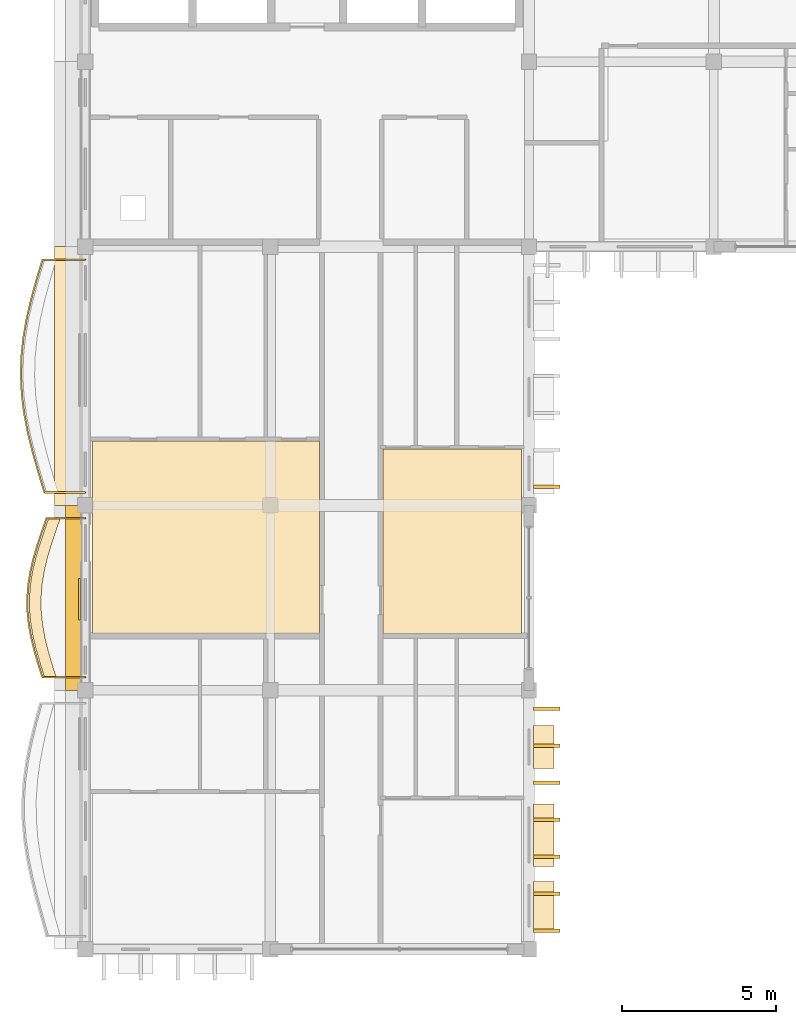
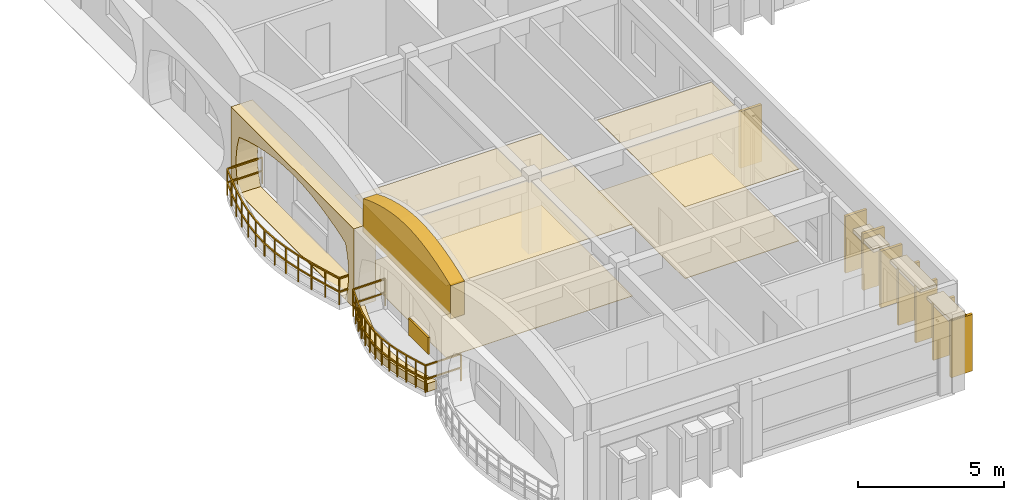
# One storey, part 10 of 12: 19 coverings, 2 railings.
"""IFC4 building model written with IfcOpenShell, lengths in metres."""

from ifc_helpers import new_model, si_unit, direction, frame, origin, origin_2d, place, context, subcontext, project, spatial, polyline, rectangle, outline, extrude, material, layer, layer_set, type_object, element, save


model = new_model("IFC4")

# Units and contexts
model_context = context("Model", 3, precision=1e-05, world=origin(), true_north=direction((0.0, 1.0)))
body_context = subcontext(model_context, "Body", "Model", "MODEL_VIEW")
ifc_project = project(units=[si_unit("LENGTHUNIT", "METRE"), si_unit("AREAUNIT", "SQUARE_METRE"), si_unit("VOLUMEUNIT", "CUBIC_METRE"), si_unit("PLANEANGLEUNIT", "RADIAN"), si_unit("MASSUNIT", "GRAM", prefix="KILO"), si_unit("THERMODYNAMICTEMPERATUREUNIT", "KELVIN")], contexts=[model_context])

# Site, building, storey
site_placement = place(None, origin())
site = spatial("IfcSite", under=ifc_project, at=site_placement, CompositionType="ELEMENT")
building_placement = place(site_placement, origin())
building = spatial("IfcBuilding", under=site, at=building_placement, Name="Thalorik Housing Commons", CompositionType="ELEMENT")
storey_placement = place(building_placement, frame((0.0, 0.0, 51.0)))
storey = spatial("IfcBuildingStorey", under=building, at=storey_placement, Name="L15", CompositionType="ELEMENT", Elevation=51.0)

# Coverings
ifc_material_1 = material(Name="Precast concrete C40/50", Category="concrete")
ifc_layer_1 = layer(ifc_material_1, 0.85009765625, Name="Precast concrete C40/50", Category="concrete")
ifc_layer_set_1 = layer_set([ifc_layer_1], Name="Precast concrete C40/50")
covering_type_1 = type_object("IfcCoveringType", Name="ARC-CLD-CUSH-850", PredefinedType="CLADDING", material=ifc_layer_set_1)
covering_1_placement = place(storey_placement, frame((7.822509765625, 105.0, 0.0), z_axis=(0.0, 0.0, 1.0), x_axis=(0.0, -1.0, 0.0)))
element("IfcCovering", 1, at=covering_1_placement, inside=storey, type_object=covering_type_1, Name="L15 White Precast Curved Cushion Bay Frame 1432", PredefinedType="CLADDING", context=body_context, shape_type="SweptSolid", body=[
    extrude(outline(polyline([(-4.199951171875, 0.0), (4.199951171875, 0.0), (4.199951171875, 3.300048828125), (-4.199951171875, 3.300048828125), (-4.199951171875, 0.0)]), holes=[polyline([(3.62744140625, 0.02490234375), (3.748291015625, 0.415771484375), (3.82080078125, 0.806640625), (3.84521484375, 1.197509765625), (3.82080078125, 1.58837890625), (3.748291015625, 1.979248046875), (3.62744140625, 2.3701171875), (3.022705078125, 2.573974609375), (2.41796875, 2.734130859375), (1.81298828125, 2.864013671875), (1.208251953125, 2.960205078125), (0.603515625, 3.02001953125), (-0.001220703125, 3.0400390625), (-0.60595703125, 3.02001953125), (-1.210693359375, 2.960205078125), (-1.815673828125, 2.864013671875), (-2.42041015625, 2.734130859375), (-3.025146484375, 2.573974609375), (-3.6298828125, 2.3701171875), (-3.750244140625, 1.979248046875), (-3.822509765625, 1.58837890625), (-3.8466796875, 1.197509765625), (-3.822509765625, 0.806640625), (-3.750244140625, 0.415771484375), (-3.6298828125, 0.02490234375), (3.62744140625, 0.02490234375)])]), frame((0.0, 0.425048828125, 0.0), z_axis=(0.0, -1.0, 0.0), x_axis=(1.0, 0.0, 0.0)), (0.0, 0.0, 1.0), 0.85009765625),
])
ifc_layer_2 = layer(ifc_material_1, 0.85009765625, Name="Precast concrete C40/50", Category="concrete")
ifc_layer_set_2 = layer_set([ifc_layer_2], Name="Precast concrete C40/50")
covering_type_2 = type_object("IfcCoveringType", Name="ARC-CLD-FIN-850", PredefinedType="CLADDING", material=ifc_layer_set_2)
for number, where, z_axis, x_axis, name in (
    (2, (23.37744140625, 87.0, 0.0400390625), (0.0, 0.0, 1.0), (0.0, 1.0, 0.0), "L15 Courtyard Precast Vertical Brise-Soleil Fin 1445"),
    (3, (23.37744140625, 88.199951171875, 0.0400390625), (0.0, 0.0, 1.0), (0.0, 1.0, 0.0), "L15 Courtyard Precast Vertical Brise-Soleil Fin 1446"),
    (4, (23.37744140625, 89.39990234375, 0.0400390625), (0.0, 0.0, 1.0), (0.0, 1.0, 0.0), "L15 Courtyard Precast Vertical Brise-Soleil Fin 1447"),
    (5, (23.37744140625, 90.60009765625, 0.0400390625), (0.0, 0.0, 1.0), (0.0, 1.0, 0.0), "L15 Courtyard Precast Vertical Brise-Soleil Fin 1448"),
    (6, (23.37744140625, 91.800048828125, 0.0400390625), (0.0, 0.0, 1.0), (0.0, 1.0, 0.0), "L15 Courtyard Precast Vertical Brise-Soleil Fin 1449"),
    (7, (23.37744140625, 93.0, 0.0400390625), (0.0, 0.0, 1.0), (0.0, 1.0, 0.0), "L15 Courtyard Precast Vertical Brise-Soleil Fin 1450"),
    (8, (23.37744140625, 94.199951171875, 0.0400390625), (0.0, 0.0, 1.0), (0.0, 1.0, 0.0), "L15 Courtyard Precast Vertical Brise-Soleil Fin 1451"),
    (9, (23.37744140625, 101.39990234375, 0.0400390625), (0.0, 0.0, 1.0), (0.0, 1.0, 0.0), "L15 Courtyard Precast Vertical Brise-Soleil Fin 1455"),
):
    element("IfcCovering", number, at=place(storey_placement, frame(where, z_axis=z_axis, x_axis=x_axis)), inside=storey, type_object=covering_type_2, Name=name, PredefinedType="CLADDING", context=body_context, shape_type="SweptSolid", body=[
        extrude(rectangle(XDim=0.110107421875, YDim=0.85009765625, at=origin_2d()), origin(), (0.0, 0.0, 1.0), 2.364990234375),
    ])
ifc_layer_3 = layer(ifc_material_1, 0.64990234375, Name="Precast concrete C40/50", Category="concrete")
ifc_layer_set_3 = layer_set([ifc_layer_3], Name="Precast concrete C40/50")
covering_type_3 = type_object("IfcCoveringType", Name="ARC-CLD-HOOD-650", PredefinedType="CLADDING", material=ifc_layer_set_3)
covering_2_placement = place(storey_placement, frame((23.277587890625, 87.8056640625, 2.294921875), z_axis=(0.0, 0.0, 1.0), x_axis=(0.0, 1.0, 0.0)))
element("IfcCovering", 10, at=covering_2_placement, inside=storey, type_object=covering_type_3, Name="L15 Courtyard Precast Window Sun-Hood 1452", PredefinedType="CLADDING", context=body_context, shape_type="SweptSolid", body=[
    extrude(rectangle(XDim=1.590087890625, YDim=0.64990234375, at=origin_2d()), origin(), (0.0, 0.0, 1.0), 0.139892578125),
])
covering_3_placement = place(storey_placement, frame((23.277587890625, 90.09716796875, 2.2900390625), z_axis=(0.0, 0.0, 1.0), x_axis=(0.0, 1.0, 0.0)))
element("IfcCovering", 11, at=covering_3_placement, inside=storey, type_object=covering_type_3, Name="L15 Courtyard Precast Window Sun-Hood 1453", PredefinedType="CLADDING", context=body_context, shape_type="SweptSolid", body=[
    extrude(rectangle(XDim=2.0400390625, YDim=0.64990234375, at=origin_2d()), origin(), (0.0, 0.0, 1.0), 0.139892578125),
])
covering_4_placement = place(storey_placement, frame((23.277587890625, 92.96142578125, 2.0400390625), z_axis=(0.0, 0.0, 1.0), x_axis=(0.0, 1.0, 0.0)))
element("IfcCovering", 12, at=covering_4_placement, inside=storey, type_object=covering_type_3, Name="L15 Courtyard Precast Window Sun-Hood 1454", PredefinedType="CLADDING", context=body_context, shape_type="SweptSolid", body=[
    extrude(rectangle(XDim=1.389892578125, YDim=0.64990234375, at=origin_2d()), origin(), (0.0, 0.0, 1.0), 0.139892578125),
])
ifc_layer_4 = layer(ifc_material_1, 0.550048828125, Name="Precast concrete C40/50", Category="concrete")
ifc_layer_set_4 = layer_set([ifc_layer_4], Name="Precast concrete C40/50")
covering_type_4 = type_object("IfcCoveringType", Name="ARC-CLD-PAR-550", PredefinedType="CLADDING", material=ifc_layer_set_4)
covering_5_placement = place(storey_placement, frame((8.027587890625, 97.800048828125, 3.06005859375), z_axis=(0.0, 0.0, 1.0), x_axis=(0.0, -1.0, 0.0)))
element("IfcCovering", 13, at=covering_5_placement, inside=storey, type_object=covering_type_4, Name="L15 Block A Scalloped White Precast Parapet Crest 1472", PredefinedType="CLADDING", context=body_context, shape_type="SweptSolid", body=[
    extrude(outline(polyline([(-3.0, 0.0), (3.0, 0.0), (3.0, 1.3798828125), (2.5, 1.58154296875), (2.0, 1.744384765625), (1.5, 1.877685546875), (1.0, 1.977294921875), (0.5, 2.0390625), (0.0, 2.06005859375), (-0.5, 2.0390625), (-1.0, 1.977294921875), (-1.5, 1.877685546875), (-2.0, 1.744384765625), (-2.5, 1.58154296875), (-3.0, 1.3798828125), (-3.0, 0.0)])), frame((0.0, 0.27490234375, 0.0), z_axis=(0.0, -1.0, 0.0), x_axis=(1.0, 0.0, 0.0)), (0.0, 0.0, 1.0), 0.550048828125),
])
ifc_material_2 = material(Name="Mineral ochre architectural terracotta panel", Category="masonry")
ifc_layer_5 = layer(ifc_material_2, 0.06494140625, Name="Mineral ochre architectural terracotta panel", Category="masonry")
ifc_layer_set_5 = layer_set([ifc_layer_5], Name="Mineral ochre architectural terracotta panel")
covering_type_5 = type_object("IfcCoveringType", Name="ARC-CLD-YEL-65", PredefinedType="CLADDING", material=ifc_layer_set_5)
covering_6_placement = place(storey_placement, frame((8.2099609375, 97.75, 0.0498046875), z_axis=(0.0, 0.0, 1.0), x_axis=(0.0, -1.0, 0.0)))
element("IfcCovering", 14, at=covering_6_placement, inside=storey, type_object=covering_type_5, Name="L15 De Stijl Recessed Window Spandrel 1435", PredefinedType="CLADDING", context=body_context, shape_type="SweptSolid", body=[
    extrude(rectangle(XDim=1.35009765625, YDim=0.06494140625, at=origin_2d()), origin(), (0.0, 0.0, 1.0), 0.699951171875),
])
ifc_material_3 = material(Name="Mineral fibre acoustic ceiling tile")
ifc_layer_6 = layer(ifc_material_3, 0.01806640625, Name="Mineral fibre acoustic ceiling tile")
ifc_layer_set_6 = layer_set([ifc_layer_6], Name="Mineral fibre acoustic ceiling tile")
covering_type_6 = type_object("IfcCoveringType", Name="ARC-COV-CEIL-02", PredefinedType="CEILING", material=ifc_layer_set_6)
covering_7_placement = place(storey_placement, frame((0.0, 0.0, 2.98193359375)))
element("IfcCovering", 15, at=covering_7_placement, inside=storey, type_object=covering_type_6, Name="L15 Panoramic Residents Dining Hall Suspended Ceiling", PredefinedType="CEILING", context=body_context, shape_type="SweptSolid", body=[
    extrude(outline(polyline([(16.0, 102.885009765625), (8.639892578125, 102.885009765625), (8.639892578125, 96.64990234375), (16.0, 96.64990234375), (16.0, 102.885009765625)])), origin(), (0.0, 0.0, 1.0), 0.01806640625),
])
ifc_material_4 = material(Name="Slatted timber acoustic hall baffle ceiling", Category="wood")
ifc_layer_7 = layer(ifc_material_4, 0.02197265625, Name="Slatted timber acoustic hall baffle ceiling", Category="wood")
ifc_layer_set_7 = layer_set([ifc_layer_7], Name="Slatted timber acoustic hall baffle ceiling")
covering_type_7 = type_object("IfcCoveringType", Name="ARC-COV-CEIL-03", PredefinedType="CEILING", material=ifc_layer_set_7)
covering_8_placement = place(storey_placement, frame((0.0, 0.0, 2.97802734375)))
element("IfcCovering", 16, at=covering_8_placement, inside=storey, type_object=covering_type_7, Name="L15 Living Dining Room Suspended Ceiling", PredefinedType="CEILING", context=body_context, shape_type="SweptSolid", body=[
    extrude(outline(polyline([(22.56005859375, 102.629638671875), (18.06005859375, 102.629638671875), (18.06005859375, 96.64990234375), (22.56005859375, 96.64990234375), (22.56005859375, 102.629638671875)])), origin(), (0.0, 0.0, 1.0), 0.02197265625),
])
ifc_material_5 = material(Name="Slip-resistant quarry terracotta corridor tile", Category="masonry")
ifc_layer_8 = layer(ifc_material_5, 0.01611328125, Name="Slip-resistant quarry terracotta corridor tile", Category="masonry")
ifc_layer_set_8 = layer_set([ifc_layer_8], Name="Slip-resistant quarry terracotta corridor tile")
covering_type_8 = type_object("IfcCoveringType", Name="ARC-COV-FLR-02", PredefinedType="FLOORING", material=ifc_layer_set_8)
covering_9_placement = place(storey_placement, origin())
element("IfcCovering", 17, at=covering_9_placement, inside=storey, type_object=covering_type_8, Name="L15 Panoramic Residents Dining Hall Flooring", PredefinedType="FLOORING", context=body_context, shape_type="SweptSolid", body=[
    extrude(outline(polyline([(16.0, 102.885009765625), (8.639892578125, 102.885009765625), (8.639892578125, 96.64990234375), (16.0, 96.64990234375), (16.0, 102.885009765625)])), origin(), (0.0, 0.0, 1.0), 0.01611328125),
])
ifc_material_6 = material(Name="Cushioned natural linoleum nursery playroom flooring")
ifc_layer_9 = layer(ifc_material_6, 0.02001953125, Name="Cushioned natural linoleum nursery playroom flooring")
ifc_layer_set_9 = layer_set([ifc_layer_9], Name="Cushioned natural linoleum nursery playroom flooring")
covering_type_9 = type_object("IfcCoveringType", Name="ARC-COV-FLR-03", PredefinedType="FLOORING", material=ifc_layer_set_9)
covering_10_placement = place(storey_placement, origin())
element("IfcCovering", 18, at=covering_10_placement, inside=storey, type_object=covering_type_9, Name="L15 Living Dining Room Flooring", PredefinedType="FLOORING", context=body_context, shape_type="SweptSolid", body=[
    extrude(outline(polyline([(22.56005859375, 102.629638671875), (18.06005859375, 102.629638671875), (18.06005859375, 96.64990234375), (22.56005859375, 96.64990234375), (22.56005859375, 102.629638671875)])), origin(), (0.0, 0.0, 1.0), 0.02001953125),
])
ifc_material_7 = material(Name="Planted vegetated substrate and terracotta trough", Category="masonry")
ifc_layer_10 = layer(ifc_material_7, 0.340087890625, Name="Planted vegetated substrate and terracotta trough", Category="masonry")
ifc_layer_set_10 = layer_set([ifc_layer_10], Name="Planted vegetated substrate and terracotta trough")
covering_type_10 = type_object("IfcCoveringType", Name="ARC-COV-PLANTER", PredefinedType="USERDEFINED", material=ifc_layer_set_10)
covering_11_placement = place(storey_placement, origin())
element("IfcCovering", 19, at=covering_11_placement, inside=storey, type_object=covering_type_10, Name="L15 Balcony Slab-Edge Planted Trough 5415", ObjectType="PLANTER", PredefinedType="USERDEFINED", context=body_context, shape_type="SweptSolid", body=[
    extrude(outline(polyline([(7.20703125, 100.3798828125), (7.056884765625, 99.949951171875), (6.91357421875, 99.52001953125), (6.786865234375, 99.090087890625), (6.685302734375, 98.659912109375), (6.6162109375, 98.22998046875), (6.58349609375, 97.800048828125), (6.589111328125, 97.3701171875), (6.63232421875, 96.93994140625), (6.70947265625, 96.510009765625), (6.814697265625, 96.080078125), (6.93994140625, 95.64990234375), (7.076416015625, 95.219970703125), (7.456298828125, 95.219970703125), (7.320068359375, 95.64990234375), (7.194580078125, 96.080078125), (7.08935546875, 96.510009765625), (7.01220703125, 96.93994140625), (6.968994140625, 97.3701171875), (6.96337890625, 97.800048828125), (6.99609375, 98.22998046875), (7.0654296875, 98.659912109375), (7.166748046875, 99.090087890625), (7.29345703125, 99.52001953125), (7.436767578125, 99.949951171875), (7.5869140625, 100.3798828125), (7.20703125, 100.3798828125)])), origin(), (0.0, 0.0, 1.0), 0.340087890625),
])

# Railings
ifc_material_8 = material(Name="Steel S355", Category="steel")
railing_type_1 = type_object("IfcRailingType", Name="ARC-RL-BAL-112", PredefinedType="BALUSTRADE", material=ifc_material_8)
railing_1_placement = place(storey_placement, frame((8.39990234375, 108.780029296875, 0.0)))
element("IfcRailing", 20, at=railing_1_placement, inside=storey, type_object=railing_type_1, Name="L15 Cushion Balcony Guardrail 100", PredefinedType="BALUSTRADE", context=body_context, shape_type="SweptSolid", body=[
    extrude(rectangle(XDim=0.050048828125, YDim=0.050048828125, at=origin_2d()), frame((0.0, 0.0, 1.09521484375), z_axis=(-1.0, 0.0, 0.0), x_axis=(0.0, -1.0, 0.0)), (0.0, 0.0, 1.0), 1.390625),
    extrude(rectangle(XDim=0.050048828125, YDim=0.050048828125, at=origin_2d()), frame((0.0, 0.0, 0.53515625), z_axis=(-1.0, 0.0, 0.0), x_axis=(0.0, -1.0, 0.0)), (0.0, 0.0, 1.0), 1.390625),
    extrude(rectangle(XDim=0.050048828125, YDim=0.050048828125, at=origin_2d()), frame((-1.390625, 0.0, 1.09521484375), z_axis=(-0.287586184254, -0.957754763301, 0.0), x_axis=(0.957754763301, -0.287586184254, 0.0)), (0.0, 0.0, 1.0), 0.657958984375),
    extrude(rectangle(XDim=0.050048828125, YDim=0.050048828125, at=origin_2d()), frame((-1.390625, 0.0, 0.53515625), z_axis=(-0.287586184254, -0.957754763301, 0.0), x_axis=(0.957754763301, -0.287586184254, 0.0)), (0.0, 0.0, 1.0), 0.657958984375),
    extrude(rectangle(XDim=0.050048828125, YDim=0.050048828125, at=origin_2d()), frame((-1.579833984375, -0.630126953125, 1.09521484375), z_axis=(-0.267065878379, -0.963678274429, 0.0), x_axis=(0.963678274429, -0.267065878379, 0.0)), (0.0, 0.0, 1.0), 0.653564453125),
    extrude(rectangle(XDim=0.050048828125, YDim=0.050048828125, at=origin_2d()), frame((-1.579833984375, -0.630126953125, 0.53515625), z_axis=(-0.267065878379, -0.963678274429, 0.0), x_axis=(0.963678274429, -0.267065878379, 0.0)), (0.0, 0.0, 1.0), 0.653564453125),
    extrude(rectangle(XDim=0.050048828125, YDim=0.050048828125, at=origin_2d()), frame((-1.75439453125, -1.260009765625, 1.09521484375), z_axis=(-0.228576787076, -0.973525886872, 0.0), x_axis=(0.973525886872, -0.228576787076, 0.0)), (0.0, 0.0, 1.0), 0.647216796875),
    extrude(rectangle(XDim=0.050048828125, YDim=0.050048828125, at=origin_2d()), frame((-1.75439453125, -1.260009765625, 0.53515625), z_axis=(-0.228576787076, -0.973525886872, 0.0), x_axis=(0.973525886872, -0.228576787076, 0.0)), (0.0, 0.0, 1.0), 0.647216796875),
    extrude(rectangle(XDim=0.050048828125, YDim=0.050048828125, at=origin_2d()), frame((-1.90234375, -1.89013671875, 1.09521484375), z_axis=(-0.172935923987, -0.984933077013, 0.0), x_axis=(0.984933077013, -0.172935923987, 0.0)), (0.0, 0.0, 1.0), 0.639404296875),
    extrude(rectangle(XDim=0.050048828125, YDim=0.050048828125, at=origin_2d()), frame((-1.90234375, -1.89013671875, 0.53515625), z_axis=(-0.172935923987, -0.984933077013, 0.0), x_axis=(0.984933077013, -0.172935923987, 0.0)), (0.0, 0.0, 1.0), 0.639404296875),
    extrude(rectangle(XDim=0.050048828125, YDim=0.050048828125, at=origin_2d()), frame((-2.012939453125, -2.52001953125, 1.09521484375), z_axis=(-0.104424024371, -0.994532866794, 0.0), x_axis=(0.994532866794, -0.104424024371, 0.0)), (0.0, 0.0, 1.0), 0.633544921875),
    extrude(rectangle(XDim=0.050048828125, YDim=0.050048828125, at=origin_2d()), frame((-2.012939453125, -2.52001953125, 0.53515625), z_axis=(-0.104424024371, -0.994532866794, 0.0), x_axis=(0.994532866794, -0.104424024371, 0.0)), (0.0, 0.0, 1.0), 0.633544921875),
    extrude(rectangle(XDim=0.050048828125, YDim=0.050048828125, at=origin_2d()), frame((-2.0791015625, -3.150146484375, 1.09521484375), z_axis=(-0.026347439351, -0.999652845962, 0.0), x_axis=(0.999652845962, -0.026347439351, 0.0)), (0.0, 0.0, 1.0), 0.630126953125),
    extrude(rectangle(XDim=0.050048828125, YDim=0.050048828125, at=origin_2d()), frame((-2.0791015625, -3.150146484375, 0.53515625), z_axis=(-0.026347439351, -0.999652845962, 0.0), x_axis=(0.999652845962, -0.026347439351, 0.0)), (0.0, 0.0, 1.0), 0.630126953125),
    extrude(rectangle(XDim=0.050048828125, YDim=0.050048828125, at=origin_2d()), frame((-2.095703125, -3.780029296875, 1.09521484375), z_axis=(0.053026069218, -0.998593128348, 0.0), x_axis=(0.998593128348, 0.053026069218, 0.0)), (0.0, 0.0, 1.0), 0.630859375),
    extrude(rectangle(XDim=0.050048828125, YDim=0.050048828125, at=origin_2d()), frame((-2.095703125, -3.780029296875, 0.53515625), z_axis=(0.053026069218, -0.998593128348, 0.0), x_axis=(0.998593128348, 0.053026069218, 0.0)), (0.0, 0.0, 1.0), 0.630859375),
    extrude(rectangle(XDim=0.050048828125, YDim=0.050048828125, at=origin_2d()), frame((-2.062255859375, -4.409912109375, 1.09521484375), z_axis=(0.128337087148, -0.991730604581, 0.0), x_axis=(0.991730604581, 0.128337087148, 0.0)), (0.0, 0.0, 1.0), 0.635498046875),
    extrude(rectangle(XDim=0.050048828125, YDim=0.050048828125, at=origin_2d()), frame((-2.062255859375, -4.409912109375, 0.53515625), z_axis=(0.128337087148, -0.991730604581, 0.0), x_axis=(0.991730604581, 0.128337087148, 0.0)), (0.0, 0.0, 1.0), 0.635498046875),
    extrude(rectangle(XDim=0.050048828125, YDim=0.050048828125, at=origin_2d()), frame((-1.980712890625, -5.0400390625, 1.09521484375), z_axis=(0.19245755101, -0.981305299618, 0.0), x_axis=(0.981305299618, 0.19245755101, 0.0)), (0.0, 0.0, 1.0), 0.641845703125),
    extrude(rectangle(XDim=0.050048828125, YDim=0.050048828125, at=origin_2d()), frame((-1.980712890625, -5.0400390625, 0.53515625), z_axis=(0.19245755101, -0.981305299618, 0.0), x_axis=(0.981305299618, 0.19245755101, 0.0)), (0.0, 0.0, 1.0), 0.641845703125),
    extrude(rectangle(XDim=0.050048828125, YDim=0.050048828125, at=origin_2d()), frame((-1.857177734375, -5.669921875, 1.09521484375), z_axis=(0.242447180005, -0.97016460712, 0.0), x_axis=(0.97016460712, 0.242447180005, 0.0)), (0.0, 0.0, 1.0), 0.6494140625),
    extrude(rectangle(XDim=0.050048828125, YDim=0.050048828125, at=origin_2d()), frame((-1.857177734375, -5.669921875, 0.53515625), z_axis=(0.242447180005, -0.97016460712, 0.0), x_axis=(0.97016460712, 0.242447180005, 0.0)), (0.0, 0.0, 1.0), 0.6494140625),
    extrude(rectangle(XDim=0.050048828125, YDim=0.050048828125, at=origin_2d()), frame((-1.69970703125, -6.300048828125, 1.09521484375), z_axis=(0.275016423265, -0.961439528486, 0.0), x_axis=(0.961439528486, 0.275016423265, 0.0)), (0.0, 0.0, 1.0), 0.655029296875),
    extrude(rectangle(XDim=0.050048828125, YDim=0.050048828125, at=origin_2d()), frame((-1.69970703125, -6.300048828125, 0.53515625), z_axis=(0.275016423265, -0.961439528486, 0.0), x_axis=(0.961439528486, 0.275016423265, 0.0)), (0.0, 0.0, 1.0), 0.655029296875),
    extrude(rectangle(XDim=0.050048828125, YDim=0.050048828125, at=origin_2d()), frame((-1.51953125, -6.929931640625, 1.09521484375), z_axis=(0.289286763148, -0.957242481646, 0.0), x_axis=(0.957242481646, 0.289286763148, 0.0)), (0.0, 0.0, 1.0), 0.658203125),
    extrude(rectangle(XDim=0.050048828125, YDim=0.050048828125, at=origin_2d()), frame((-1.51953125, -6.929931640625, 0.53515625), z_axis=(0.289286763148, -0.957242481646, 0.0), x_axis=(0.957242481646, 0.289286763148, 0.0)), (0.0, 0.0, 1.0), 0.658203125),
    extrude(rectangle(XDim=0.050048828125, YDim=0.050048828125, at=origin_2d()), frame((-1.3291015625, -7.56005859375, 1.09521484375), z_axis=(1.0, 0.0, 0.0), x_axis=(0.0, 1.0, 0.0)), (0.0, 0.0, 1.0), 1.3291015625),
    extrude(rectangle(XDim=0.050048828125, YDim=0.050048828125, at=origin_2d()), frame((-1.3291015625, -7.56005859375, 0.53515625), z_axis=(1.0, 0.0, 0.0), x_axis=(0.0, 1.0, 0.0)), (0.0, 0.0, 1.0), 1.3291015625),
    extrude(rectangle(XDim=0.0419921875, YDim=0.0419921875, at=origin_2d()), origin(), (0.0, 0.0, 1.0), 1.070068359375),
    extrude(rectangle(XDim=0.0419921875, YDim=0.0419921875, at=origin_2d()), frame((-1.390625, 0.0, 0.0)), (0.0, 0.0, 1.0), 1.070068359375),
    extrude(rectangle(XDim=0.0419921875, YDim=0.0419921875, at=origin_2d()), frame((-1.579833984375, -0.630126953125, 0.0)), (0.0, 0.0, 1.0), 1.070068359375),
    extrude(rectangle(XDim=0.0419921875, YDim=0.0419921875, at=origin_2d()), frame((-1.75439453125, -1.260009765625, 0.0)), (0.0, 0.0, 1.0), 1.070068359375),
    extrude(rectangle(XDim=0.0419921875, YDim=0.0419921875, at=origin_2d()), frame((-1.90234375, -1.89013671875, 0.0)), (0.0, 0.0, 1.0), 1.070068359375),
    extrude(rectangle(XDim=0.0419921875, YDim=0.0419921875, at=origin_2d()), frame((-2.012939453125, -2.52001953125, 0.0)), (0.0, 0.0, 1.0), 1.070068359375),
    extrude(rectangle(XDim=0.0419921875, YDim=0.0419921875, at=origin_2d()), frame((-2.0791015625, -3.150146484375, 0.0)), (0.0, 0.0, 1.0), 1.070068359375),
    extrude(rectangle(XDim=0.0419921875, YDim=0.0419921875, at=origin_2d()), frame((-2.095703125, -3.780029296875, 0.0)), (0.0, 0.0, 1.0), 1.070068359375),
    extrude(rectangle(XDim=0.0419921875, YDim=0.0419921875, at=origin_2d()), frame((-2.062255859375, -4.409912109375, 0.0)), (0.0, 0.0, 1.0), 1.070068359375),
    extrude(rectangle(XDim=0.0419921875, YDim=0.0419921875, at=origin_2d()), frame((-1.980712890625, -5.0400390625, 0.0)), (0.0, 0.0, 1.0), 1.070068359375),
    extrude(rectangle(XDim=0.0419921875, YDim=0.0419921875, at=origin_2d()), frame((-1.857177734375, -5.669921875, 0.0)), (0.0, 0.0, 1.0), 1.070068359375),
    extrude(rectangle(XDim=0.0419921875, YDim=0.0419921875, at=origin_2d()), frame((-1.69970703125, -6.300048828125, 0.0)), (0.0, 0.0, 1.0), 1.070068359375),
    extrude(rectangle(XDim=0.0419921875, YDim=0.0419921875, at=origin_2d()), frame((-1.51953125, -6.929931640625, 0.0)), (0.0, 0.0, 1.0), 1.070068359375),
    extrude(rectangle(XDim=0.0419921875, YDim=0.0419921875, at=origin_2d()), frame((-1.3291015625, -7.56005859375, 0.0)), (0.0, 0.0, 1.0), 1.070068359375),
    extrude(rectangle(XDim=0.0419921875, YDim=0.0419921875, at=origin_2d()), frame((0.0, -7.56005859375, 0.0)), (0.0, 0.0, 1.0), 1.070068359375),
])
railing_type_2 = type_object("IfcRailingType", Name="ARC-RL-BAL-115", PredefinedType="BALUSTRADE", material=ifc_material_8)
railing_2_placement = place(storey_placement, frame((8.39990234375, 100.3798828125, 0.0)))
element("IfcRailing", 21, at=railing_2_placement, inside=storey, type_object=railing_type_2, Name="L15 Cushion Balcony Guardrail 99", PredefinedType="BALUSTRADE", context=body_context, shape_type="SweptSolid", body=[
    extrude(rectangle(XDim=0.050048828125, YDim=0.050048828125, at=origin_2d()), frame((0.0, 0.0, 1.125), z_axis=(-1.0, 0.0, 0.0), x_axis=(0.0, -1.0, 0.0)), (0.0, 0.0, 1.0), 1.262939453125),
    extrude(rectangle(XDim=0.050048828125, YDim=0.050048828125, at=origin_2d()), frame((0.0, 0.0, 0.5498046875), z_axis=(-1.0, 0.0, 0.0), x_axis=(0.0, -1.0, 0.0)), (0.0, 0.0, 1.0), 1.262939453125),
    extrude(rectangle(XDim=0.050048828125, YDim=0.050048828125, at=origin_2d()), frame((-1.262939453125, 0.0, 1.125), z_axis=(-0.329705586874, -0.944083802416, 0.0), x_axis=(0.944083802416, -0.329705586874, 0.0)), (0.0, 0.0, 1.0), 0.455322265625),
    extrude(rectangle(XDim=0.050048828125, YDim=0.050048828125, at=origin_2d()), frame((-1.262939453125, 0.0, 0.5498046875), z_axis=(-0.329705586874, -0.944083802416, 0.0), x_axis=(0.944083802416, -0.329705586874, 0.0)), (0.0, 0.0, 1.0), 0.455322265625),
    extrude(rectangle(XDim=0.050048828125, YDim=0.050048828125, at=origin_2d()), frame((-1.4130859375, -0.429931640625, 1.125), z_axis=(-0.316227766017, -0.948683298051, 0.0), x_axis=(0.948683298051, -0.316227766017, 0.0)), (0.0, 0.0, 1.0), 0.453125),
    extrude(rectangle(XDim=0.050048828125, YDim=0.050048828125, at=origin_2d()), frame((-1.4130859375, -0.429931640625, 0.5498046875), z_axis=(-0.316227766017, -0.948683298051, 0.0), x_axis=(0.948683298051, -0.316227766017, 0.0)), (0.0, 0.0, 1.0), 0.453125),
    extrude(rectangle(XDim=0.050048828125, YDim=0.050048828125, at=origin_2d()), frame((-1.556396484375, -0.85986328125, 1.125), z_axis=(-0.28269709896, -0.959209231732, 0.0), x_axis=(0.959209231732, -0.28269709896, 0.0)), (0.0, 0.0, 1.0), 0.4482421875),
    extrude(rectangle(XDim=0.050048828125, YDim=0.050048828125, at=origin_2d()), frame((-1.556396484375, -0.85986328125, 0.5498046875), z_axis=(-0.28269709896, -0.959209231732, 0.0), x_axis=(0.959209231732, -0.28269709896, 0.0)), (0.0, 0.0, 1.0), 0.4482421875),
    extrude(rectangle(XDim=0.050048828125, YDim=0.050048828125, at=origin_2d()), frame((-1.68310546875, -1.289794921875, 1.125), z_axis=(-0.229254863001, -0.97336643038, 0.0), x_axis=(0.97336643038, -0.229254863001, 0.0)), (0.0, 0.0, 1.0), 0.44189453125),
    extrude(rectangle(XDim=0.050048828125, YDim=0.050048828125, at=origin_2d()), frame((-1.68310546875, -1.289794921875, 0.5498046875), z_axis=(-0.229254863001, -0.97336643038, 0.0), x_axis=(0.97336643038, -0.229254863001, 0.0)), (0.0, 0.0, 1.0), 0.44189453125),
    extrude(rectangle(XDim=0.050048828125, YDim=0.050048828125, at=origin_2d()), frame((-1.784423828125, -1.719970703125, 1.125), z_axis=(-0.159214812956, -0.987243963433, 0.0), x_axis=(0.987243963433, -0.159214812956, 0.0)), (0.0, 0.0, 1.0), 0.435546875),
    extrude(rectangle(XDim=0.050048828125, YDim=0.050048828125, at=origin_2d()), frame((-1.784423828125, -1.719970703125, 0.5498046875), z_axis=(-0.159214812956, -0.987243963433, 0.0), x_axis=(0.987243963433, -0.159214812956, 0.0)), (0.0, 0.0, 1.0), 0.435546875),
    extrude(rectangle(XDim=0.050048828125, YDim=0.050048828125, at=origin_2d()), frame((-1.853759765625, -2.14990234375, 1.125), z_axis=(-0.075873785115, -0.997117429761, 0.0), x_axis=(0.997117429761, -0.075873785115, 0.0)), (0.0, 0.0, 1.0), 0.43115234375),
    extrude(rectangle(XDim=0.050048828125, YDim=0.050048828125, at=origin_2d()), frame((-1.853759765625, -2.14990234375, 0.5498046875), z_axis=(-0.075873785115, -0.997117429761, 0.0), x_axis=(0.997117429761, -0.075873785115, 0.0)), (0.0, 0.0, 1.0), 0.43115234375),
    extrude(rectangle(XDim=0.050048828125, YDim=0.050048828125, at=origin_2d()), frame((-1.886474609375, -2.579833984375, 1.125), z_axis=(0.013059647099, -0.999914719172, 0.0), x_axis=(0.999914719172, 0.013059647099, 0.0)), (0.0, 0.0, 1.0), 0.429931640625),
    extrude(rectangle(XDim=0.050048828125, YDim=0.050048828125, at=origin_2d()), frame((-1.886474609375, -2.579833984375, 0.5498046875), z_axis=(0.013059647099, -0.999914719172, 0.0), x_axis=(0.999914719172, 0.013059647099, 0.0)), (0.0, 0.0, 1.0), 0.429931640625),
    extrude(rectangle(XDim=0.050048828125, YDim=0.050048828125, at=origin_2d()), frame((-1.880859375, -3.009765625, 1.125), z_axis=(0.099950992034, -0.994992361373, 0.0), x_axis=(0.994992361373, 0.099950992034, 0.0)), (0.0, 0.0, 1.0), 0.432373046875),
    extrude(rectangle(XDim=0.050048828125, YDim=0.050048828125, at=origin_2d()), frame((-1.880859375, -3.009765625, 0.5498046875), z_axis=(0.099950992034, -0.994992361373, 0.0), x_axis=(0.994992361373, 0.099950992034, 0.0)), (0.0, 0.0, 1.0), 0.432373046875),
    extrude(rectangle(XDim=0.050048828125, YDim=0.050048828125, at=origin_2d()), frame((-1.837646484375, -3.43994140625, 1.125), z_axis=(0.176622409765, -0.984278682269, 0.0), x_axis=(0.984278682269, 0.176622409765, 0.0)), (0.0, 0.0, 1.0), 0.436767578125),
    extrude(rectangle(XDim=0.050048828125, YDim=0.050048828125, at=origin_2d()), frame((-1.837646484375, -3.43994140625, 0.5498046875), z_axis=(0.176622409765, -0.984278682269, 0.0), x_axis=(0.984278682269, 0.176622409765, 0.0)), (0.0, 0.0, 1.0), 0.436767578125),
    extrude(rectangle(XDim=0.050048828125, YDim=0.050048828125, at=origin_2d()), frame((-1.760498046875, -3.869873046875, 1.125), z_axis=(0.237730669609, -0.971331111788, 0.0), x_axis=(0.971331111788, 0.237730669609, 0.0)), (0.0, 0.0, 1.0), 0.442626953125),
    extrude(rectangle(XDim=0.050048828125, YDim=0.050048828125, at=origin_2d()), frame((-1.760498046875, -3.869873046875, 0.5498046875), z_axis=(0.237730669609, -0.971331111788, 0.0), x_axis=(0.971331111788, 0.237730669609, 0.0)), (0.0, 0.0, 1.0), 0.442626953125),
    extrude(rectangle(XDim=0.050048828125, YDim=0.050048828125, at=origin_2d()), frame((-1.6552734375, -4.2998046875, 1.125), z_axis=(0.280041842562, -0.95998779493, 0.0), x_axis=(0.95998779493, 0.280041842562, 0.0)), (0.0, 0.0, 1.0), 0.447998046875),
    extrude(rectangle(XDim=0.050048828125, YDim=0.050048828125, at=origin_2d()), frame((-1.6552734375, -4.2998046875, 0.5498046875), z_axis=(0.280041842562, -0.95998779493, 0.0), x_axis=(0.95998779493, 0.280041842562, 0.0)), (0.0, 0.0, 1.0), 0.447998046875),
    extrude(rectangle(XDim=0.050048828125, YDim=0.050048828125, at=origin_2d()), frame((-1.52978515625, -4.72998046875, 1.125), z_axis=(0.302063898652, -0.953287680153, 0.0), x_axis=(0.953287680153, 0.302063898652, 0.0)), (0.0, 0.0, 1.0), 0.450927734375),
    extrude(rectangle(XDim=0.050048828125, YDim=0.050048828125, at=origin_2d()), frame((-1.52978515625, -4.72998046875, 0.5498046875), z_axis=(0.302063898652, -0.953287680153, 0.0), x_axis=(0.953287680153, 0.302063898652, 0.0)), (0.0, 0.0, 1.0), 0.450927734375),
    extrude(rectangle(XDim=0.050048828125, YDim=0.050048828125, at=origin_2d()), frame((-1.3935546875, -5.159912109375, 1.125), z_axis=(1.0, 0.0, 0.0), x_axis=(0.0, 1.0, 0.0)), (0.0, 0.0, 1.0), 1.3935546875),
    extrude(rectangle(XDim=0.050048828125, YDim=0.050048828125, at=origin_2d()), frame((-1.3935546875, -5.159912109375, 0.5498046875), z_axis=(1.0, 0.0, 0.0), x_axis=(0.0, 1.0, 0.0)), (0.0, 0.0, 1.0), 1.3935546875),
    extrude(rectangle(XDim=0.0419921875, YDim=0.0419921875, at=origin_2d()), origin(), (0.0, 0.0, 1.0), 1.099853515625),
    extrude(rectangle(XDim=0.0419921875, YDim=0.0419921875, at=origin_2d()), frame((-1.262939453125, 0.0, 0.0)), (0.0, 0.0, 1.0), 1.099853515625),
    extrude(rectangle(XDim=0.0419921875, YDim=0.0419921875, at=origin_2d()), frame((-1.4130859375, -0.429931640625, 0.0)), (0.0, 0.0, 1.0), 1.099853515625),
    extrude(rectangle(XDim=0.0419921875, YDim=0.0419921875, at=origin_2d()), frame((-1.556396484375, -0.85986328125, 0.0)), (0.0, 0.0, 1.0), 1.099853515625),
    extrude(rectangle(XDim=0.0419921875, YDim=0.0419921875, at=origin_2d()), frame((-1.68310546875, -1.289794921875, 0.0)), (0.0, 0.0, 1.0), 1.099853515625),
    extrude(rectangle(XDim=0.0419921875, YDim=0.0419921875, at=origin_2d()), frame((-1.784423828125, -1.719970703125, 0.0)), (0.0, 0.0, 1.0), 1.099853515625),
    extrude(rectangle(XDim=0.0419921875, YDim=0.0419921875, at=origin_2d()), frame((-1.853759765625, -2.14990234375, 0.0)), (0.0, 0.0, 1.0), 1.099853515625),
    extrude(rectangle(XDim=0.0419921875, YDim=0.0419921875, at=origin_2d()), frame((-1.886474609375, -2.579833984375, 0.0)), (0.0, 0.0, 1.0), 1.099853515625),
    extrude(rectangle(XDim=0.0419921875, YDim=0.0419921875, at=origin_2d()), frame((-1.880859375, -3.009765625, 0.0)), (0.0, 0.0, 1.0), 1.099853515625),
    extrude(rectangle(XDim=0.0419921875, YDim=0.0419921875, at=origin_2d()), frame((-1.837646484375, -3.43994140625, 0.0)), (0.0, 0.0, 1.0), 1.099853515625),
    extrude(rectangle(XDim=0.0419921875, YDim=0.0419921875, at=origin_2d()), frame((-1.760498046875, -3.869873046875, 0.0)), (0.0, 0.0, 1.0), 1.099853515625),
    extrude(rectangle(XDim=0.0419921875, YDim=0.0419921875, at=origin_2d()), frame((-1.6552734375, -4.2998046875, 0.0)), (0.0, 0.0, 1.0), 1.099853515625),
    extrude(rectangle(XDim=0.0419921875, YDim=0.0419921875, at=origin_2d()), frame((-1.52978515625, -4.72998046875, 0.0)), (0.0, 0.0, 1.0), 1.099853515625),
    extrude(rectangle(XDim=0.0419921875, YDim=0.0419921875, at=origin_2d()), frame((-1.3935546875, -5.159912109375, 0.0)), (0.0, 0.0, 1.0), 1.099853515625),
    extrude(rectangle(XDim=0.0419921875, YDim=0.0419921875, at=origin_2d()), frame((0.0, -5.159912109375, 0.0)), (0.0, 0.0, 1.0), 1.099853515625),
])

save(model, "model.ifc")
